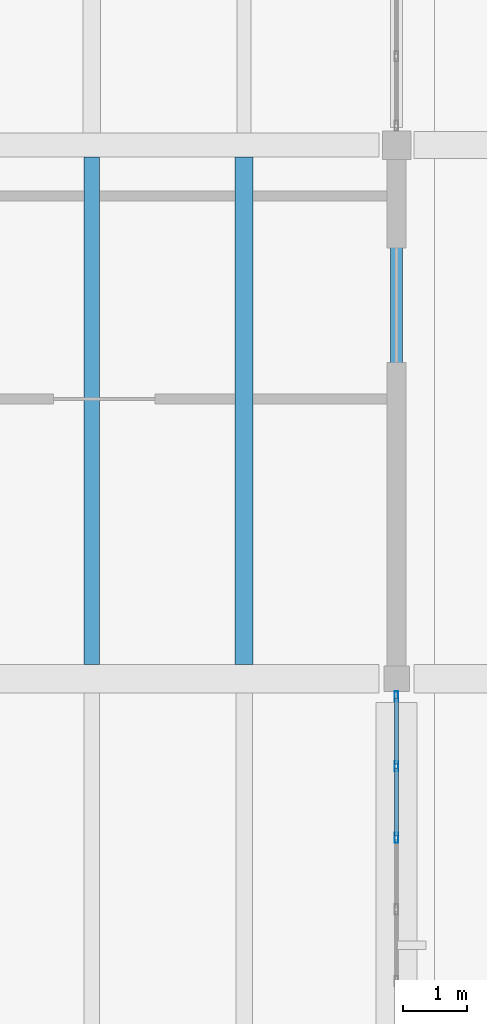
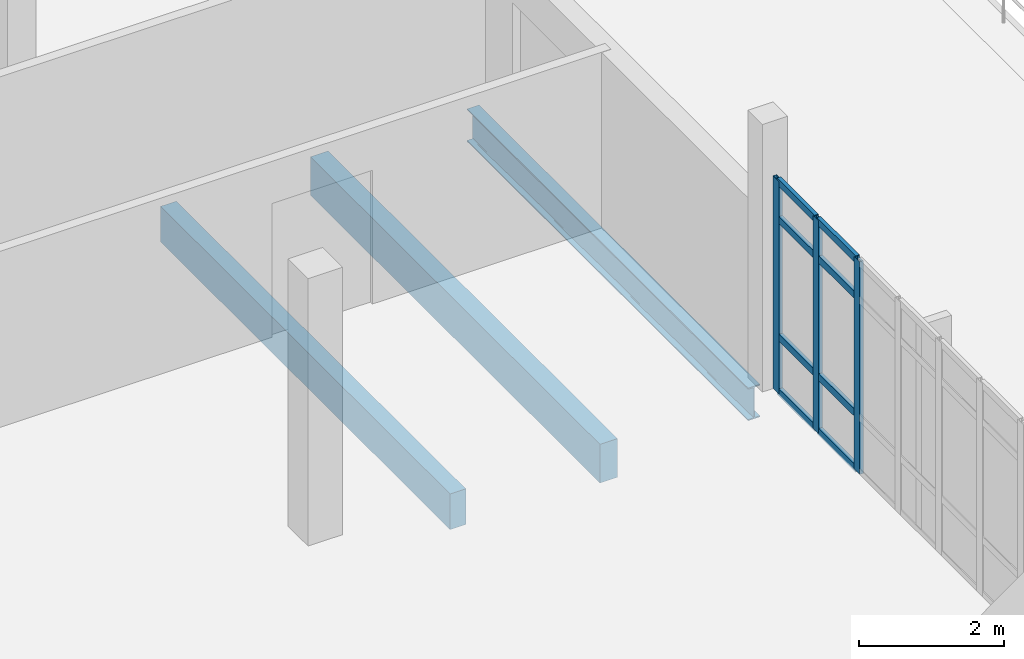
# One storey, part 38 of 62: 11 members, 3 beams, 1 element without a shape of its own.
"""IFC4 building model written with IfcOpenShell, lengths in metres."""

from ifc_helpers import new_model, si_unit, direction, frame, origin, origin_2d, place, context, subcontext, project, spatial, rectangle, hollow_rectangle, i_section, extrude, material, material_profile, profile_set, type_object, element, aggregate, save


model = new_model("IFC4")

# Units and contexts
model_context = context("Model", 3, precision=1e-05, world=origin(), true_north=direction((0.0, 1.0)))
body_context = subcontext(model_context, "Body", "Model", "MODEL_VIEW")
ifc_project = project(units=[si_unit("LENGTHUNIT", "METRE"), si_unit("AREAUNIT", "SQUARE_METRE"), si_unit("VOLUMEUNIT", "CUBIC_METRE"), si_unit("PLANEANGLEUNIT", "RADIAN"), si_unit("MASSUNIT", "GRAM", prefix="KILO")], contexts=[model_context])

# Site, building, storey
site_placement = place(None, origin())
site = spatial("IfcSite", under=ifc_project, at=site_placement, CompositionType="ELEMENT")
building_placement = place(site_placement, origin())
building = spatial("IfcBuilding", under=site, at=building_placement, Name="Kalluvel Institute of Natural Sciences", CompositionType="ELEMENT")
storey_placement = place(building_placement, frame((0.0, 0.0, 27.89990234375)))
storey = spatial("IfcBuildingStorey", under=building, at=storey_placement, Name="L06", CompositionType="ELEMENT", Elevation=27.89990234375)

# Beam
ifc_material_1 = material(Name="Steel E350 Grade 350", Category="steel")
ifc_material_profile_1 = material_profile(ifc_material_1, i_section(OverallWidth=0.18994140625, OverallDepth=0.550048828125, WebThickness=0.01123046875, FlangeThickness=0.019287109375, FilletRadius=0.01806640625, at=origin_2d()), Name="ISMB 550")
ifc_profile_set_1 = profile_set([ifc_material_profile_1], Name="Steel E350 Grade 350")
beam_type_1 = type_object("IfcBeamType", Name="BM-ISMB550", PredefinedType="BEAM", material=ifc_profile_set_1)
beam_1_placement = place(storey_placement, frame((107.60009765625, 111.574951171875, -0.594970703125), z_axis=(0.0, 1.0, 0.0), x_axis=(-1.0, 0.0, 0.0)))
element("IfcBeam", 1, at=beam_1_placement, inside=storey, type_object=beam_type_1, Name="L06 girder GIR-L06-NS-X1076-Y1112", PredefinedType="BEAM", context=body_context, shape_type="SweptSolid", body=[
    extrude(i_section(OverallWidth=0.18994140625, OverallDepth=0.550048828125, WebThickness=0.01123046875, FlangeThickness=0.019287109375, FilletRadius=0.01806640625, at=origin_2d()), origin(), (0.0, 0.0, 1.0), 7.75),
])

# Curtain wall, members
ifc_material_2 = material(Name="Aluminium AW-6063 T6", Category="aluminium")
curtain_wall_type = type_object("IfcCurtainWallType", Name="CW-WET-45", PredefinedType="USERDEFINED", material=ifc_material_2)
curtain_wall_placement = place(storey_placement, origin())
curtain_wall = element("IfcCurtainWall", 2, at=curtain_wall_placement, inside=storey, type_object=curtain_wall_type, Name="L06 Gothic lancet curtain wall CWA-L06-X1076-Y1030", ObjectType="UNITISED LANCET FACADE", PredefinedType="USERDEFINED")
ifc_material_profile_2 = material_profile(ifc_material_2, hollow_rectangle(XDim=0.06005859375, YDim=0.159912109375, WallThickness=0.00390625, at=origin_2d()), Name="CWM 60x160")
ifc_profile_set_2 = profile_set([ifc_material_profile_2], Name="Aluminium AW-6063 T6")
member_type_1 = type_object("IfcMemberType", Name="CWM-60x160", PredefinedType="MULLION", material=ifc_profile_set_2)
member_1_placement = place(storey_placement, frame((107.60009765625, 108.69287109375, 0.0), z_axis=(0.0, 0.0, 1.0), x_axis=(-1.0, 0.0, 0.0)))
member_1 = element("IfcMember", 3, at=member_1_placement, type_object=member_type_1, Name="CW-01 mullion 6", PredefinedType="MULLION", context=body_context, shape_type="SweptSolid", body=[
    extrude(hollow_rectangle(XDim=0.06005859375, YDim=0.159912109375, WallThickness=0.00390625, at=origin_2d()), origin(), (0.0, 0.0, 1.0), 3.580078125),
])
member_2_placement = place(storey_placement, frame((107.60009765625, 109.821533203125, 0.0), z_axis=(0.0, 0.0, 1.0), x_axis=(-1.0, 0.0, 0.0)))
member_2 = element("IfcMember", 4, at=member_2_placement, type_object=member_type_1, Name="CW-01 mullion 7", PredefinedType="MULLION", context=body_context, shape_type="SweptSolid", body=[
    extrude(hollow_rectangle(XDim=0.06005859375, YDim=0.159912109375, WallThickness=0.00390625, at=origin_2d()), origin(), (0.0, 0.0, 1.0), 3.580078125),
])
member_3_placement = place(storey_placement, frame((107.60009765625, 110.919921875, 0.0), z_axis=(0.0, 0.0, 1.0), x_axis=(-1.0, 0.0, 0.0)))
member_3 = element("IfcMember", 5, at=member_3_placement, type_object=member_type_1, Name="CW-01 mullion 8", PredefinedType="MULLION", context=body_context, shape_type="SweptSolid", body=[
    extrude(hollow_rectangle(XDim=0.06005859375, YDim=0.159912109375, WallThickness=0.00390625, at=origin_2d()), origin(), (0.0, 0.0, 1.0), 3.580078125),
])
ifc_material_profile_3 = material_profile(ifc_material_2, hollow_rectangle(XDim=0.06005859375, YDim=0.1201171875, WallThickness=0.00390625, at=origin_2d()), Name="CWT 60x120")
ifc_profile_set_3 = profile_set([ifc_material_profile_3], Name="Aluminium AW-6063 T6")
member_type_2 = type_object("IfcMemberType", Name="CWT-60x120", PredefinedType="USERDEFINED", material=ifc_profile_set_3)
member_4_placement = place(storey_placement, frame((107.60009765625, 108.722900390625, 0.030029296875), z_axis=(0.0, 1.0, 0.0), x_axis=(-1.0, 0.0, 0.0)))
member_4 = element("IfcMember", 6, at=member_4_placement, type_object=member_type_2, Name="CW-01 transom 6.1", ObjectType="TRANSOM", PredefinedType="USERDEFINED", context=body_context, shape_type="SweptSolid", body=[
    extrude(hollow_rectangle(XDim=0.06005859375, YDim=0.1201171875, WallThickness=0.00390625, at=origin_2d()), origin(), (0.0, 0.0, 1.0), 1.068603515625),
])
member_5_placement = place(storey_placement, frame((107.60009765625, 108.722900390625, 0.9501953125), z_axis=(0.0, 1.0, 0.0), x_axis=(-1.0, 0.0, 0.0)))
member_5 = element("IfcMember", 7, at=member_5_placement, type_object=member_type_2, Name="CW-01 transom 6.2", ObjectType="TRANSOM", PredefinedType="USERDEFINED", context=body_context, shape_type="SweptSolid", body=[
    extrude(hollow_rectangle(XDim=0.06005859375, YDim=0.1201171875, WallThickness=0.00390625, at=origin_2d()), origin(), (0.0, 0.0, 1.0), 1.068603515625),
])
member_6_placement = place(storey_placement, frame((107.60009765625, 108.722900390625, 2.93017578125), z_axis=(0.0, 1.0, 0.0), x_axis=(-1.0, 0.0, 0.0)))
member_6 = element("IfcMember", 8, at=member_6_placement, type_object=member_type_2, Name="CW-01 transom 6.3", ObjectType="TRANSOM", PredefinedType="USERDEFINED", context=body_context, shape_type="SweptSolid", body=[
    extrude(hollow_rectangle(XDim=0.06005859375, YDim=0.1201171875, WallThickness=0.00390625, at=origin_2d()), origin(), (0.0, 0.0, 1.0), 1.068603515625),
])
member_7_placement = place(storey_placement, frame((107.60009765625, 108.722900390625, 3.550048828125), z_axis=(0.0, 1.0, 0.0), x_axis=(-1.0, 0.0, 0.0)))
member_7 = element("IfcMember", 9, at=member_7_placement, type_object=member_type_2, Name="CW-01 transom 6.4", ObjectType="TRANSOM", PredefinedType="USERDEFINED", context=body_context, shape_type="SweptSolid", body=[
    extrude(hollow_rectangle(XDim=0.06005859375, YDim=0.1201171875, WallThickness=0.00390625, at=origin_2d()), origin(), (0.0, 0.0, 1.0), 1.068603515625),
])
member_8_placement = place(storey_placement, frame((107.60009765625, 109.851318359375, 0.030029296875), z_axis=(0.0, 1.0, 0.0), x_axis=(-1.0, 0.0, 0.0)))
member_8 = element("IfcMember", 10, at=member_8_placement, type_object=member_type_2, Name="CW-01 transom 7.1", ObjectType="TRANSOM", PredefinedType="USERDEFINED", context=body_context, shape_type="SweptSolid", body=[
    extrude(hollow_rectangle(XDim=0.06005859375, YDim=0.1201171875, WallThickness=0.00390625, at=origin_2d()), origin(), (0.0, 0.0, 1.0), 1.03857421875),
])
member_9_placement = place(storey_placement, frame((107.60009765625, 109.851318359375, 0.9501953125), z_axis=(0.0, 1.0, 0.0), x_axis=(-1.0, 0.0, 0.0)))
member_9 = element("IfcMember", 11, at=member_9_placement, type_object=member_type_2, Name="CW-01 transom 7.2", ObjectType="TRANSOM", PredefinedType="USERDEFINED", context=body_context, shape_type="SweptSolid", body=[
    extrude(hollow_rectangle(XDim=0.06005859375, YDim=0.1201171875, WallThickness=0.00390625, at=origin_2d()), origin(), (0.0, 0.0, 1.0), 1.03857421875),
])
member_10_placement = place(storey_placement, frame((107.60009765625, 109.851318359375, 2.93017578125), z_axis=(0.0, 1.0, 0.0), x_axis=(-1.0, 0.0, 0.0)))
member_10 = element("IfcMember", 12, at=member_10_placement, type_object=member_type_2, Name="CW-01 transom 7.3", ObjectType="TRANSOM", PredefinedType="USERDEFINED", context=body_context, shape_type="SweptSolid", body=[
    extrude(hollow_rectangle(XDim=0.06005859375, YDim=0.1201171875, WallThickness=0.00390625, at=origin_2d()), origin(), (0.0, 0.0, 1.0), 1.03857421875),
])
member_11_placement = place(storey_placement, frame((107.60009765625, 109.851318359375, 3.550048828125), z_axis=(0.0, 1.0, 0.0), x_axis=(-1.0, 0.0, 0.0)))
member_11 = element("IfcMember", 13, at=member_11_placement, type_object=member_type_2, Name="CW-01 transom 7.4", ObjectType="TRANSOM", PredefinedType="USERDEFINED", context=body_context, shape_type="SweptSolid", body=[
    extrude(hollow_rectangle(XDim=0.06005859375, YDim=0.1201171875, WallThickness=0.00390625, at=origin_2d()), origin(), (0.0, 0.0, 1.0), 1.03857421875),
])
aggregate(curtain_wall, [member_1, member_2, member_3, member_4, member_5, member_6, member_7, member_8, member_9, member_10, member_11])

# Beams
ifc_material_3 = material(Name="Concrete M40", Category="concrete")
ifc_material_profile_4 = material_profile(ifc_material_3, rectangle(XDim=0.25, YDim=0.60009765625, at=origin_2d()), Name="WAF 250x600")
ifc_profile_set_4 = profile_set([ifc_material_profile_4], Name="Concrete M40")
beam_type_2 = type_object("IfcBeamType", Name="WJ-250x600", PredefinedType="JOIST", material=ifc_profile_set_4)
beam_2_placement = place(storey_placement, frame((102.800048828125, 111.425048828125, -0.619873046875), z_axis=(0.0, 1.0, 0.0), x_axis=(-1.0, 0.0, 0.0)))
element("IfcBeam", 14, at=beam_2_placement, inside=storey, type_object=beam_type_2, Name="L06 waffle joist RIB-L06-0508", PredefinedType="JOIST", context=body_context, shape_type="SweptSolid", body=[
    extrude(rectangle(XDim=0.25, YDim=0.60009765625, at=origin_2d()), origin(), (0.0, 0.0, 1.0), 7.98486328125),
])
ifc_material_4 = material(Name="Concrete M50", Category="concrete")
ifc_material_profile_5 = material_profile(ifc_material_4, rectangle(XDim=0.280029296875, YDim=0.64990234375, at=origin_2d()), Name="WAF 280x650")
ifc_profile_set_5 = profile_set([ifc_material_profile_5], Name="Concrete M50")
beam_type_3 = type_object("IfcBeamType", Name="WJ-280x650", PredefinedType="JOIST", material=ifc_profile_set_5)
beam_3_placement = place(storey_placement, frame((105.199951171875, 111.425048828125, -0.64501953125), z_axis=(0.0, 1.0, 0.0), x_axis=(-1.0, 0.0, 0.0)))
element("IfcBeam", 15, at=beam_3_placement, inside=storey, type_object=beam_type_3, Name="L06 waffle joist RIB-L06-0509", PredefinedType="JOIST", context=body_context, shape_type="SweptSolid", body=[
    extrude(rectangle(XDim=0.280029296875, YDim=0.64990234375, at=origin_2d()), origin(), (0.0, 0.0, 1.0), 7.98486328125),
])

save(model, "model.ifc")
